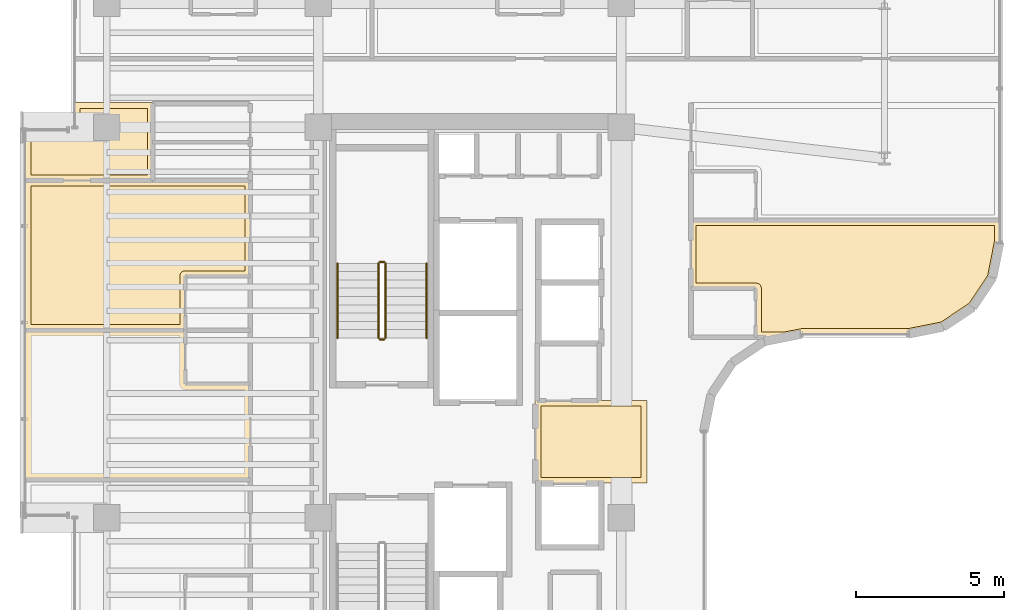
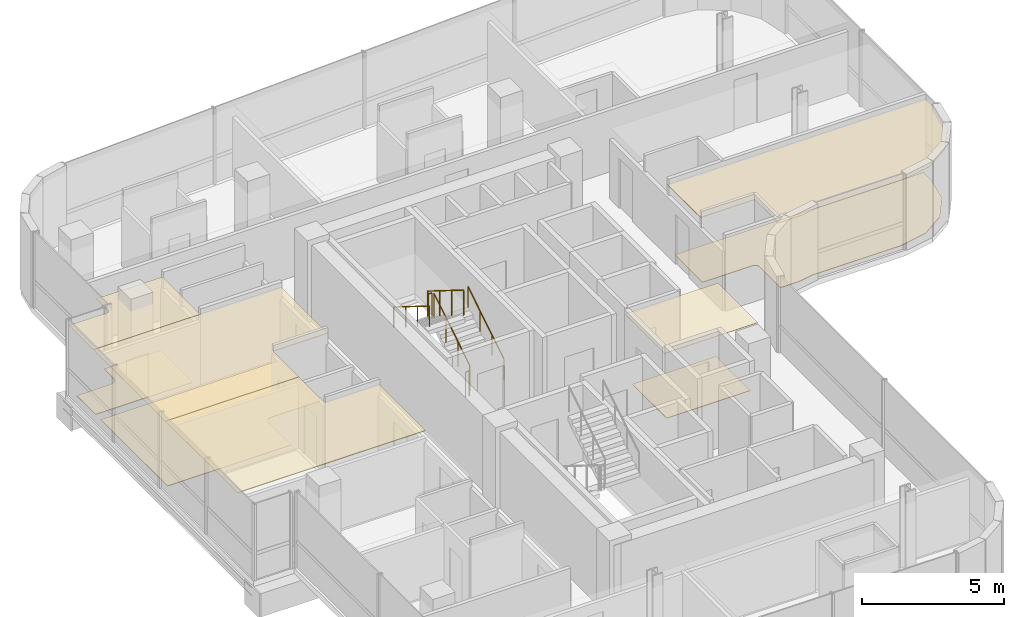
# One storey, part 21 of 22: 9 coverings, 6 railings.
"""IFC4 building model written with IfcOpenShell, lengths in metres."""

from ifc_helpers import new_model, si_unit, direction, frame, origin, origin_2d, place, context, subcontext, project, spatial, polyline, circle, outline, extrude, material, layer, layer_set, type_object, element, save


model = new_model("IFC4")

# Units and contexts
model_context = context("Model", 3, precision=1e-05, world=origin(), true_north=direction((0.0, 1.0)))
body_context = subcontext(model_context, "Body", "Model", "MODEL_VIEW")
ifc_project = project(units=[si_unit("LENGTHUNIT", "METRE"), si_unit("AREAUNIT", "SQUARE_METRE"), si_unit("VOLUMEUNIT", "CUBIC_METRE"), si_unit("PLANEANGLEUNIT", "RADIAN"), si_unit("MASSUNIT", "GRAM", prefix="KILO")], contexts=[model_context])

# Site, building, storey
site_placement = place(None, origin())
site = spatial("IfcSite", under=ifc_project, at=site_placement, CompositionType="ELEMENT")
building_placement = place(site_placement, origin())
building = spatial("IfcBuilding", under=site, at=building_placement, Name="Valdorenza Pilgrim Sanctuary Tower", CompositionType="ELEMENT")
storey_placement = place(building_placement, frame((0.0, 0.0, 216.0)))
storey = spatial("IfcBuildingStorey", under=building, at=storey_placement, Name="L55", CompositionType="ELEMENT", Elevation=216.0)

# Coverings
ifc_material_1 = material(Name="Micro-perforated acoustic mineral ceiling tile", Category="gypsum")
ifc_layer_1 = layer(ifc_material_1, 0.02490234375, Name="Micro-perforated acoustic mineral ceiling tile")
ifc_layer_set_1 = layer_set([ifc_layer_1], Name="Micro-perforated acoustic mineral ceiling tile")
covering_type_1 = type_object("IfcCoveringType", Name="COV-CLG-ACU", PredefinedType="CEILING", material=ifc_layer_set_1)
covering_1_placement = place(storey_placement, frame((0.0, 0.0, 2.9599609375)))
element("IfcCovering", 1, at=covering_1_placement, inside=storey, type_object=covering_type_1, Name="L55 Core A Passenger Lift Lobby Acoustic Ceiling", PredefinedType="CEILING", context=body_context, shape_type="SweptSolid", body=[
    extrude(outline(polyline([(-15.31494140625, 1.35009765625), (-15.31494140625, 1.3515625), (-15.314697265625, 1.352783203125), (-15.314453125, 1.3544921875), (-15.31396484375, 1.355712890625), (-15.313232421875, 1.357177734375), (-15.3125, 1.3583984375), (-15.3115234375, 1.359619140625), (-15.310546875, 1.360595703125), (-15.3095703125, 1.361572265625), (-15.308349609375, 1.362548828125), (-15.30712890625, 1.36328125), (-15.3056640625, 1.364013671875), (-15.304443359375, 1.364501953125), (-15.302978515625, 1.36474609375), (-15.301513671875, 1.364990234375), (-15.300048828125, 1.364990234375), (-11.550048828125, 1.364990234375), (-11.548583984375, 1.364990234375), (-11.547119140625, 1.36474609375), (-11.545654296875, 1.364501953125), (-11.544189453125, 1.364013671875), (-11.54296875, 1.36328125), (-11.541748046875, 1.362548828125), (-11.54052734375, 1.361572265625), (-11.539306640625, 1.360595703125), (-11.538330078125, 1.359619140625), (-11.53759765625, 1.3583984375), (-11.536865234375, 1.357177734375), (-11.5361328125, 1.355712890625), (-11.53564453125, 1.3544921875), (-11.535400390625, 1.352783203125), (-11.53515625, 1.3515625), (-11.534912109375, 1.35009765625), (-11.534912109375, -1.419921875), (-11.53515625, -1.42138671875), (-11.535400390625, -1.4228515625), (-11.53564453125, -1.42431640625), (-11.5361328125, -1.42578125), (-11.536865234375, -1.427001953125), (-11.53759765625, -1.42822265625), (-11.538330078125, -1.429443359375), (-11.539306640625, -1.4306640625), (-11.54052734375, -1.431640625), (-11.541748046875, -1.4326171875), (-11.54296875, -1.43310546875), (-11.544189453125, -1.433837890625), (-11.545654296875, -1.434326171875), (-11.547119140625, -1.434814453125), (-11.548583984375, -1.434814453125), (-11.550048828125, -1.43505859375), (-15.298095703125, -1.43505859375), (-15.299560546875, -1.434814453125), (-15.30078125, -1.434814453125), (-15.302490234375, -1.434326171875), (-15.3037109375, -1.433837890625), (-15.30517578125, -1.43310546875), (-15.306396484375, -1.4326171875), (-15.3076171875, -1.431640625), (-15.30859375, -1.4306640625), (-15.3095703125, -1.429443359375), (-15.310546875, -1.42822265625), (-15.311279296875, -1.427001953125), (-15.31201171875, -1.42578125), (-15.3125, -1.42431640625), (-15.312744140625, -1.4228515625), (-15.31298828125, -1.42138671875), (-15.31298828125, -1.419921875), (-15.31298828125, 1.244384765625), (-15.31298828125, 1.24462890625), (-15.313720703125, 1.24609375), (-15.314208984375, 1.24755859375), (-15.314697265625, 1.2490234375), (-15.31494140625, 1.25048828125), (-15.31494140625, 1.251953125), (-15.31494140625, 1.35009765625)])), origin(), (0.0, 0.0, 1.0), 0.025146484375),
])
covering_2_placement = place(storey_placement, frame((0.0, 0.0, 2.9599609375)))
element("IfcCovering", 2, at=covering_2_placement, inside=storey, type_object=covering_type_1, Name="L55 Pilgrim Scholar Office L55-WN Acoustic Ceiling", PredefinedType="CEILING", context=body_context, shape_type="SweptSolid", body=[
    extrude(outline(polyline([(-28.237060546875, 11.39453125), (-28.237060546875, 10.103759765625), (-28.23681640625, 10.10302734375), (-28.23681640625, 10.1015625), (-28.23681640625, 10.10009765625), (-28.23681640625, 10.098388671875), (-28.237060546875, 10.09814453125), (-28.237060546875, 8.800048828125), (-28.237060546875, 8.798583984375), (-28.2373046875, 8.797119140625), (-28.237548828125, 8.795654296875), (-28.238037109375, 8.794189453125), (-28.23876953125, 8.79296875), (-28.239501953125, 8.791748046875), (-28.240478515625, 8.79052734375), (-28.241455078125, 8.789306640625), (-28.242431640625, 8.788330078125), (-28.24365234375, 8.78759765625), (-28.244873046875, 8.786865234375), (-28.246337890625, 8.7861328125), (-28.24755859375, 8.78564453125), (-28.2490234375, 8.785400390625), (-28.25048828125, 8.78515625), (-28.251953125, 8.784912109375), (-32.5400390625, 8.784912109375), (-32.54150390625, 8.78515625), (-32.54296875, 8.785400390625), (-32.54443359375, 8.78564453125), (-32.545654296875, 8.7861328125), (-32.547119140625, 8.786865234375), (-32.54833984375, 8.78759765625), (-32.549560546875, 8.788330078125), (-32.550537109375, 8.789306640625), (-32.551513671875, 8.79052734375), (-32.552490234375, 8.791748046875), (-32.55322265625, 8.79296875), (-32.553955078125, 8.794189453125), (-32.554443359375, 8.795654296875), (-32.5546875, 8.797119140625), (-32.554931640625, 8.798583984375), (-32.554931640625, 8.800048828125), (-32.554931640625, 10.489990234375), (-32.554931640625, 10.491455078125), (-32.5546875, 10.492919921875), (-32.554443359375, 10.494384765625), (-32.553955078125, 10.49560546875), (-32.55322265625, 10.4970703125), (-32.552490234375, 10.498291015625), (-32.551513671875, 10.49951171875), (-32.550537109375, 10.50048828125), (-32.549560546875, 10.501708984375), (-32.54833984375, 10.50244140625), (-32.547119140625, 10.503173828125), (-32.545654296875, 10.50390625), (-32.54443359375, 10.50439453125), (-32.54296875, 10.504638671875), (-32.54150390625, 10.5048828125), (-32.5400390625, 10.5048828125), (-31.00048828125, 10.5048828125), (-30.99072265625, 10.505615234375), (-30.9814453125, 10.5068359375), (-30.972412109375, 10.509033203125), (-30.963623046875, 10.51220703125), (-30.955078125, 10.51611328125), (-30.947265625, 10.52099609375), (-30.939697265625, 10.526611328125), (-30.932861328125, 10.53271484375), (-30.926513671875, 10.539794921875), (-30.9208984375, 10.547119140625), (-30.916259765625, 10.55517578125), (-30.912109375, 10.563720703125), (-30.9091796875, 10.572509765625), (-30.90673828125, 10.58154296875), (-30.905517578125, 10.5908203125), (-30.905029296875, 10.600341796875), (-30.905029296875, 11.419921875), (-30.90478515625, 11.42138671875), (-30.90478515625, 11.4228515625), (-30.904296875, 11.42431640625), (-30.90380859375, 11.42578125), (-30.9033203125, 11.427001953125), (-30.902587890625, 11.42822265625), (-30.901611328125, 11.429443359375), (-30.900634765625, 11.4306640625), (-30.8994140625, 11.431640625), (-30.898193359375, 11.4326171875), (-30.897216796875, 11.43310546875), (-30.895751953125, 11.433837890625), (-30.894287109375, 11.434326171875), (-30.892822265625, 11.434814453125), (-30.8916015625, 11.434814453125), (-30.889892578125, 11.43505859375), (-28.25, 11.43505859375), (-28.24853515625, 11.434814453125), (-28.2470703125, 11.434814453125), (-28.24560546875, 11.434326171875), (-28.244384765625, 11.433837890625), (-28.242919921875, 11.43310546875), (-28.24169921875, 11.4326171875), (-28.240478515625, 11.431640625), (-28.239501953125, 11.4306640625), (-28.23828125, 11.429443359375), (-28.237548828125, 11.42822265625), (-28.23681640625, 11.427001953125), (-28.236083984375, 11.42578125), (-28.235595703125, 11.42431640625), (-28.2353515625, 11.4228515625), (-28.235107421875, 11.42138671875), (-28.235107421875, 11.419921875), (-28.235107421875, 11.402099609375), (-28.235107421875, 11.400390625), (-28.2353515625, 11.39892578125), (-28.235595703125, 11.3974609375), (-28.236083984375, 11.39599609375), (-28.23681640625, 11.394775390625), (-28.237060546875, 11.39453125)])), origin(), (0.0, 0.0, 1.0), 0.025146484375),
])
covering_3_placement = place(storey_placement, frame((0.0, 0.0, 2.9599609375)))
element("IfcCovering", 3, at=covering_3_placement, inside=storey, type_object=covering_type_1, Name="L55 Pilgrim Guest Room L55-W3 Acoustic Ceiling", PredefinedType="CEILING", context=body_context, shape_type="SweptSolid", body=[
    extrude(outline(polyline([(-32.554931640625, 3.7451171875), (-32.554931640625, 3.74658203125), (-32.5546875, 3.747802734375), (-32.554443359375, 3.74951171875), (-32.553955078125, 3.750732421875), (-32.55322265625, 3.752197265625), (-32.552490234375, 3.75341796875), (-32.551513671875, 3.75439453125), (-32.550537109375, 3.755615234375), (-32.549560546875, 3.756591796875), (-32.54833984375, 3.757568359375), (-32.547119140625, 3.75830078125), (-32.545654296875, 3.7587890625), (-32.54443359375, 3.759521484375), (-32.54296875, 3.759765625), (-32.54150390625, 3.760009765625), (-32.5400390625, 3.760009765625), (-27.152099609375, 3.760009765625), (-27.150390625, 3.760009765625), (-27.149169921875, 3.759765625), (-27.147705078125, 3.759521484375), (-27.146240234375, 3.7587890625), (-27.14501953125, 3.75830078125), (-27.143798828125, 3.757568359375), (-27.142578125, 3.756591796875), (-27.141357421875, 3.755615234375), (-27.140380859375, 3.75439453125), (-27.139404296875, 3.75341796875), (-27.138916015625, 3.752197265625), (-27.13818359375, 3.750732421875), (-27.1376953125, 3.74951171875), (-27.13720703125, 3.747802734375), (-27.13720703125, 3.74658203125), (-27.136962890625, 3.7451171875), (-27.136962890625, 1.93798828125), (-24.949951171875, 1.93798828125), (-24.948486328125, 1.93798828125), (-24.947021484375, 1.937744140625), (-24.945556640625, 1.9375), (-24.9443359375, 1.93701171875), (-24.94287109375, 1.936279296875), (-24.941650390625, 1.935546875), (-24.9404296875, 1.9345703125), (-24.939453125, 1.93359375), (-24.9384765625, 1.9326171875), (-24.9375, 1.931396484375), (-24.936767578125, 1.93017578125), (-24.93603515625, 1.9287109375), (-24.935546875, 1.927490234375), (-24.935302734375, 1.92578125), (-24.93505859375, 1.924560546875), (-24.93505859375, 1.923095703125), (-24.93505859375, -1.30810546875), (-24.93505859375, -1.3095703125), (-24.935302734375, -1.310791015625), (-24.935546875, -1.3125), (-24.93603515625, -1.313720703125), (-24.936767578125, -1.315185546875), (-24.9375, -1.31640625), (-24.9384765625, -1.3173828125), (-24.939453125, -1.318603515625), (-24.9404296875, -1.319580078125), (-24.941650390625, -1.320556640625), (-24.94287109375, -1.3212890625), (-24.9443359375, -1.322021484375), (-24.945556640625, -1.322509765625), (-24.947021484375, -1.32275390625), (-24.948486328125, -1.322998046875), (-24.949951171875, -1.322998046875), (-32.5400390625, -1.322998046875), (-32.54150390625, -1.322998046875), (-32.54296875, -1.32275390625), (-32.54443359375, -1.322509765625), (-32.545654296875, -1.322021484375), (-32.547119140625, -1.3212890625), (-32.54833984375, -1.320556640625), (-32.549560546875, -1.319580078125), (-32.550537109375, -1.318603515625), (-32.551513671875, -1.3173828125), (-32.552490234375, -1.31640625), (-32.55322265625, -1.315185546875), (-32.553955078125, -1.313720703125), (-32.554443359375, -1.3125), (-32.5546875, -1.310791015625), (-32.554931640625, -1.3095703125), (-32.554931640625, -1.30810546875), (-32.554931640625, 3.7451171875)])), origin(), (0.0, 0.0, 1.0), 0.025146484375),
])
covering_4_placement = place(storey_placement, frame((0.0, 0.0, 2.9599609375)))
element("IfcCovering", 4, at=covering_4_placement, inside=storey, type_object=covering_type_1, Name="L55 Pilgrim Guest Room L55-W4 Acoustic Ceiling", PredefinedType="CEILING", context=body_context, shape_type="SweptSolid", body=[
    extrude(outline(polyline([(-28.253662109375, 8.81298828125), (-28.253173828125, 8.81298828125), (-28.25146484375, 8.813232421875), (-28.25, 8.813232421875), (-28.24853515625, 8.81298828125), (-28.248291015625, 8.81298828125), (-24.949951171875, 8.81298828125), (-24.948486328125, 8.81298828125), (-24.947021484375, 8.812744140625), (-24.945556640625, 8.8125), (-24.9443359375, 8.81201171875), (-24.94287109375, 8.811279296875), (-24.941650390625, 8.810546875), (-24.9404296875, 8.8095703125), (-24.939453125, 8.80859375), (-24.9384765625, 8.8076171875), (-24.9375, 8.806396484375), (-24.936767578125, 8.80517578125), (-24.93603515625, 8.8037109375), (-24.935546875, 8.802490234375), (-24.935302734375, 8.80078125), (-24.93505859375, 8.799560546875), (-24.93505859375, 8.798095703125), (-24.93505859375, 5.56689453125), (-24.93505859375, 5.5654296875), (-24.935302734375, 5.564208984375), (-24.935546875, 5.5625), (-24.93603515625, 5.561279296875), (-24.936767578125, 5.559814453125), (-24.9375, 5.55859375), (-24.9384765625, 5.5576171875), (-24.939453125, 5.556396484375), (-24.9404296875, 5.555419921875), (-24.941650390625, 5.554443359375), (-24.94287109375, 5.5537109375), (-24.9443359375, 5.552978515625), (-24.945556640625, 5.552490234375), (-24.947021484375, 5.55224609375), (-24.948486328125, 5.552001953125), (-24.949951171875, 5.552001953125), (-27.136962890625, 5.552001953125), (-27.136962890625, 3.7470703125), (-27.13720703125, 3.74560546875), (-27.13720703125, 3.744140625), (-27.1376953125, 3.74267578125), (-27.13818359375, 3.7412109375), (-27.138916015625, 3.739990234375), (-27.139404296875, 3.73876953125), (-27.140380859375, 3.737548828125), (-27.141357421875, 3.736328125), (-27.142578125, 3.7353515625), (-27.143798828125, 3.734619140625), (-27.14501953125, 3.73388671875), (-27.146240234375, 3.733154296875), (-27.147705078125, 3.732666015625), (-27.149169921875, 3.732421875), (-27.150390625, 3.732177734375), (-27.152099609375, 3.73193359375), (-32.5400390625, 3.73193359375), (-32.54150390625, 3.732177734375), (-32.54296875, 3.732421875), (-32.54443359375, 3.732666015625), (-32.545654296875, 3.733154296875), (-32.547119140625, 3.73388671875), (-32.54833984375, 3.734619140625), (-32.549560546875, 3.7353515625), (-32.550537109375, 3.736328125), (-32.551513671875, 3.737548828125), (-32.552490234375, 3.73876953125), (-32.55322265625, 3.739990234375), (-32.553955078125, 3.7412109375), (-32.554443359375, 3.74267578125), (-32.5546875, 3.744140625), (-32.554931640625, 3.74560546875), (-32.554931640625, 3.7470703125), (-32.554931640625, 8.798095703125), (-32.554931640625, 8.799560546875), (-32.5546875, 8.80078125), (-32.554443359375, 8.802490234375), (-32.553955078125, 8.8037109375), (-32.55322265625, 8.80517578125), (-32.552490234375, 8.806396484375), (-32.551513671875, 8.8076171875), (-32.550537109375, 8.80859375), (-32.549560546875, 8.8095703125), (-32.54833984375, 8.810546875), (-32.547119140625, 8.811279296875), (-32.545654296875, 8.81201171875), (-32.54443359375, 8.8125), (-32.54296875, 8.812744140625), (-32.54150390625, 8.81298828125), (-32.5400390625, 8.81298828125), (-28.253662109375, 8.81298828125)])), origin(), (0.0, 0.0, 1.0), 0.025146484375),
])
covering_5_placement = place(storey_placement, frame((0.0, 0.0, 2.9599609375)))
element("IfcCovering", 5, at=covering_5_placement, inside=storey, type_object=covering_type_1, Name="L55 East Sanctuary Guest Room L55-E1 Acoustic Ceiling", PredefinedType="CEILING", context=body_context, shape_type="SweptSolid", body=[
    extrude(outline(polyline([(-7.863037109375, 5.136962890625), (-10.050048828125, 5.136962890625), (-10.051513671875, 5.13720703125), (-10.052978515625, 5.13720703125), (-10.054443359375, 5.1376953125), (-10.0556640625, 5.13818359375), (-10.05712890625, 5.138916015625), (-10.058349609375, 5.139404296875), (-10.0595703125, 5.140380859375), (-10.060546875, 5.141357421875), (-10.0615234375, 5.142578125), (-10.0625, 5.143798828125), (-10.063232421875, 5.14501953125), (-10.06396484375, 5.146240234375), (-10.064453125, 5.147705078125), (-10.064697265625, 5.149169921875), (-10.06494140625, 5.150390625), (-10.06494140625, 5.152099609375), (-10.06494140625, 7.4599609375), (-10.06494140625, 7.46142578125), (-10.064697265625, 7.462890625), (-10.064453125, 7.46435546875), (-10.06396484375, 7.4658203125), (-10.063232421875, 7.467041015625), (-10.0625, 7.46826171875), (-10.0615234375, 7.469482421875), (-10.060546875, 7.470703125), (-10.0595703125, 7.4716796875), (-10.058349609375, 7.472412109375), (-10.05712890625, 7.47314453125), (-10.0556640625, 7.473876953125), (-10.054443359375, 7.474365234375), (-10.052978515625, 7.474609375), (-10.051513671875, 7.474853515625), (-10.050048828125, 7.47509765625), (0.389892578125, 7.47509765625), (0.3916015625, 7.474853515625), (0.392822265625, 7.474609375), (0.394287109375, 7.474365234375), (0.395751953125, 7.473876953125), (0.397216796875, 7.47314453125), (0.398193359375, 7.472412109375), (0.3994140625, 7.4716796875), (0.400634765625, 7.470703125), (0.401611328125, 7.469482421875), (0.402587890625, 7.46826171875), (0.4033203125, 7.467041015625), (0.40380859375, 7.4658203125), (0.404296875, 7.46435546875), (0.40478515625, 7.462890625), (0.40478515625, 7.46142578125), (0.405029296875, 7.4599609375), (0.405029296875, 6.710693359375), (0.40478515625, 6.70947265625), (0.40478515625, 6.7080078125), (0.16748046875, 5.515380859375), (0.1669921875, 5.513916015625), (0.16650390625, 5.5126953125), (0.166015625, 5.51123046875), (0.165283203125, 5.510009765625), (-0.504150390625, 4.50830078125), (-0.5048828125, 4.507080078125), (-0.506103515625, 4.506103515625), (-0.507080078125, 4.5048828125), (-0.50830078125, 4.504150390625), (-1.510009765625, 3.834716796875), (-1.51123046875, 3.833984375), (-1.5126953125, 3.83349609375), (-1.513916015625, 3.8330078125), (-1.515380859375, 3.83251953125), (-2.7080078125, 3.59521484375), (-2.70947265625, 3.59521484375), (-2.710693359375, 3.594970703125), (-6.299560546875, 3.594970703125), (-6.309326171875, 3.594482421875), (-6.31884765625, 3.593017578125), (-6.86083984375, 3.4853515625), (-6.8623046875, 3.485107421875), (-6.86376953125, 3.485107421875), (-7.847900390625, 3.485107421875), (-7.849609375, 3.485107421875), (-7.850830078125, 3.4853515625), (-7.852294921875, 3.485595703125), (-7.853759765625, 3.486083984375), (-7.85498046875, 3.48681640625), (-7.856201171875, 3.487548828125), (-7.857421875, 3.48828125), (-7.858642578125, 3.489501953125), (-7.859619140625, 3.490478515625), (-7.860595703125, 3.49169921875), (-7.861083984375, 3.492919921875), (-7.86181640625, 3.494384765625), (-7.8623046875, 3.49560546875), (-7.86279296875, 3.4970703125), (-7.86279296875, 3.49853515625), (-7.863037109375, 3.5), (-7.863037109375, 5.136962890625)])), origin(), (0.0, 0.0, 1.0), 0.025146484375),
])
ifc_material_2 = material(Name="Engineered European oak timber flooring", Category="wood")
ifc_layer_2 = layer(ifc_material_2, 0.02197265625, Name="Engineered European oak timber flooring")
ifc_layer_set_2 = layer_set([ifc_layer_2], Name="Engineered European oak timber flooring")
covering_type_2 = type_object("IfcCoveringType", Name="COV-FLR-OAK", PredefinedType="FLOORING", material=ifc_layer_set_2)
covering_6_placement = place(storey_placement, origin())
element("IfcCovering", 6, at=covering_6_placement, inside=storey, type_object=covering_type_2, Name="L55 Pilgrim Guest Room L55-W4 Flooring", PredefinedType="FLOORING", context=body_context, shape_type="SweptSolid", body=[
    extrude(outline(polyline([(-28.250244140625, 8.617919921875), (-28.25, 8.617919921875), (-25.1298828125, 8.617919921875), (-25.1298828125, 5.7470703125), (-27.14990234375, 5.7470703125), (-27.15869140625, 5.746826171875), (-27.158935546875, 5.746826171875), (-27.176513671875, 5.7451171875), (-27.1767578125, 5.7451171875), (-27.194091796875, 5.74169921875), (-27.1943359375, 5.741455078125), (-27.211181640625, 5.736328125), (-27.21142578125, 5.736328125), (-27.227783203125, 5.7294921875), (-27.227783203125, 5.7294921875), (-27.243408203125, 5.72119140625), (-27.24365234375, 5.72119140625), (-27.25830078125, 5.711181640625), (-27.258544921875, 5.711181640625), (-27.272216796875, 5.699951171875), (-27.272216796875, 5.69970703125), (-27.284912109375, 5.687255859375), (-27.284912109375, 5.68701171875), (-27.296142578125, 5.673583984375), (-27.296142578125, 5.67333984375), (-27.30615234375, 5.65869140625), (-27.30615234375, 5.658447265625), (-27.314453125, 5.642822265625), (-27.314697265625, 5.642578125), (-27.3212890625, 5.62646484375), (-27.3212890625, 5.626220703125), (-27.326416015625, 5.609375), (-27.32666015625, 5.609130859375), (-27.330078125, 5.591796875), (-27.330078125, 5.591552734375), (-27.331787109375, 5.573974609375), (-27.331787109375, 5.57373046875), (-27.33203125, 5.56494140625), (-27.33203125, 3.927001953125), (-32.360107421875, 3.927001953125), (-32.360107421875, 8.617919921875), (-28.251953125, 8.617919921875), (-28.2509765625, 8.617919921875), (-28.250244140625, 8.617919921875)])), origin(), (0.0, 0.0, 1.0), 0.02490234375),
])
covering_7_placement = place(storey_placement, origin())
element("IfcCovering", 7, at=covering_7_placement, inside=storey, type_object=covering_type_2, Name="L55 East Sanctuary Guest Room L55-E1 Flooring", PredefinedType="FLOORING", context=body_context, shape_type="SweptSolid", body=[
    extrude(outline(polyline([(0.2099609375, 6.728515625), (-0.016845703125, 5.588623046875), (-0.646484375, 4.646484375), (-1.588623046875, 4.016845703125), (-2.728515625, 3.7900390625), (-6.300048828125, 3.7900390625), (-6.308837890625, 3.789794921875), (-6.319580078125, 3.789306640625), (-6.337158203125, 3.78759765625), (-6.347900390625, 3.785888671875), (-6.356689453125, 3.784423828125), (-6.881591796875, 3.679931640625), (-7.66796875, 3.679931640625), (-7.66796875, 5.14990234375), (-7.668212890625, 5.15869140625), (-7.668212890625, 5.158935546875), (-7.669921875, 5.176513671875), (-7.669921875, 5.1767578125), (-7.67333984375, 5.194091796875), (-7.673583984375, 5.1943359375), (-7.6787109375, 5.211181640625), (-7.6787109375, 5.21142578125), (-7.685302734375, 5.227783203125), (-7.685546875, 5.227783203125), (-7.69384765625, 5.243408203125), (-7.69384765625, 5.24365234375), (-7.703857421875, 5.25830078125), (-7.703857421875, 5.258544921875), (-7.715087890625, 5.272216796875), (-7.715087890625, 5.272216796875), (-7.727783203125, 5.284912109375), (-7.727783203125, 5.284912109375), (-7.741455078125, 5.296142578125), (-7.74169921875, 5.296142578125), (-7.75634765625, 5.30615234375), (-7.756591796875, 5.30615234375), (-7.772216796875, 5.314453125), (-7.772216796875, 5.314697265625), (-7.78857421875, 5.3212890625), (-7.788818359375, 5.3212890625), (-7.8056640625, 5.326416015625), (-7.805908203125, 5.32666015625), (-7.8232421875, 5.330078125), (-7.823486328125, 5.330078125), (-7.841064453125, 5.331787109375), (-7.84130859375, 5.331787109375), (-7.85009765625, 5.33203125), (-9.8701171875, 5.33203125), (-9.8701171875, 7.280029296875), (0.2099609375, 7.280029296875), (0.2099609375, 6.728515625)])), origin(), (0.0, 0.0, 1.0), 0.02490234375),
])
ifc_material_3 = material(Name="Honed travertine stone flooring", Category="masonry")
ifc_layer_3 = layer(ifc_material_3, 0.030029296875, Name="Honed travertine stone flooring")
ifc_layer_set_3 = layer_set([ifc_layer_3], Name="Honed travertine stone flooring")
covering_type_3 = type_object("IfcCoveringType", Name="COV-FLR-TRV", PredefinedType="FLOORING", material=ifc_layer_set_3)
covering_8_placement = place(storey_placement, origin())
element("IfcCovering", 8, at=covering_8_placement, inside=storey, type_object=covering_type_3, Name="L55 Core A Passenger Lift Lobby Flooring", PredefinedType="FLOORING", context=body_context, shape_type="SweptSolid", body=[
    extrude(outline(polyline([(-15.117919921875, 1.169921875), (-11.72998046875, 1.169921875), (-11.72998046875, -1.239990234375), (-15.117919921875, -1.239990234375), (-15.117919921875, 1.169921875)])), origin(), (0.0, 0.0, 1.0), 0.02490234375),
])
covering_9_placement = place(storey_placement, origin())
element("IfcCovering", 9, at=covering_9_placement, inside=storey, type_object=covering_type_3, Name="L55 Pilgrim Scholar Office L55-WN Flooring", PredefinedType="FLOORING", context=body_context, shape_type="SweptSolid", body=[
    extrude(outline(polyline([(-28.431884765625, 11.239990234375), (-28.431884765625, 10.10205078125), (-28.431884765625, 10.10107421875), (-28.431884765625, 10.100341796875), (-28.431884765625, 10.10009765625), (-28.431884765625, 8.97998046875), (-32.360107421875, 8.97998046875), (-32.360107421875, 10.31005859375), (-31.0, 10.31005859375), (-30.9912109375, 10.310302734375), (-30.98046875, 10.310791015625), (-30.962890625, 10.3125), (-30.9521484375, 10.314208984375), (-30.934814453125, 10.3173828125), (-30.92431640625, 10.320068359375), (-30.907470703125, 10.3251953125), (-30.897216796875, 10.328857421875), (-30.880859375, 10.335693359375), (-30.87109375, 10.34033203125), (-30.855712890625, 10.3486328125), (-30.84619140625, 10.35400390625), (-30.831787109375, 10.364013671875), (-30.822998046875, 10.370361328125), (-30.809326171875, 10.381591796875), (-30.80126953125, 10.388916015625), (-30.788818359375, 10.4013671875), (-30.781494140625, 10.4091796875), (-30.7705078125, 10.423095703125), (-30.763916015625, 10.431640625), (-30.754150390625, 10.4462890625), (-30.74853515625, 10.45556640625), (-30.740234375, 10.47119140625), (-30.735595703125, 10.48095703125), (-30.72900390625, 10.497314453125), (-30.725341796875, 10.50732421875), (-30.72021484375, 10.5244140625), (-30.717529296875, 10.534912109375), (-30.714111328125, 10.552001953125), (-30.71240234375, 10.562744140625), (-30.710693359375, 10.580322265625), (-30.710205078125, 10.59130859375), (-30.7099609375, 10.60009765625), (-30.7099609375, 11.239990234375), (-28.431884765625, 11.239990234375)])), origin(), (0.0, 0.0, 1.0), 0.02490234375),
])

# Railings
ifc_material_4 = material(Name="Stainless steel Grade 316", Category="steel")
railing_type_1 = type_object("IfcRailingType", Name="RLG-GRD-1120", PredefinedType="GUARDRAIL", material=ifc_material_4)
railing_1_placement = place(storey_placement, frame((-20.3701171875, 3.47998046875, 0.175048828125)))
element("IfcRailing", 10, at=railing_1_placement, inside=storey, type_object=railing_type_1, Name="L55 ST-A1 stair guard 1", PredefinedType="GUARDRAIL", context=body_context, shape_type="SweptSolid", body=[
    extrude(circle(Radius=0.02392578125, at=origin_2d()), frame((0.0, 0.0, 1.076171875), z_axis=(0.0, 0.848007534815, 0.529984170421), x_axis=(-1.0, 0.0, 0.0)), (0.0, 0.0, 1.0), 2.9716796875),
    extrude(circle(Radius=0.02099609375, at=origin_2d()), origin(), (0.0, 0.0, 1.0), 1.052001953125),
    extrude(circle(Radius=0.02099609375, at=origin_2d()), frame((0.0, 0.840087890625, 0.52490234375)), (0.0, 0.0, 1.0), 1.052001953125),
    extrude(circle(Radius=0.02099609375, at=origin_2d()), frame((0.0, 1.679931640625, 1.050048828125)), (0.0, 0.0, 1.0), 1.052001953125),
    extrude(circle(Radius=0.02099609375, at=origin_2d()), frame((0.0, 2.52001953125, 1.574951171875)), (0.0, 0.0, 1.0), 1.052001953125),
])
railing_2_placement = place(storey_placement, frame((-20.419921875, 6.050048828125, 1.75)))
element("IfcRailing", 11, at=railing_2_placement, inside=storey, type_object=railing_type_1, Name="L55 ST-A1 stair guard 2", PredefinedType="GUARDRAIL", context=body_context, shape_type="SweptSolid", body=[
    extrude(circle(Radius=0.02392578125, at=origin_2d()), frame((0.0, 0.0, 1.076171875), z_axis=(-1.0, 0.0, 0.0), x_axis=(0.0, -1.0, 0.0)), (0.0, 0.0, 1.0), 0.150146484375),
    extrude(circle(Radius=0.02099609375, at=origin_2d()), origin(), (0.0, 0.0, 1.0), 1.052001953125),
    extrude(circle(Radius=0.02099609375, at=origin_2d()), frame((-0.150146484375, 0.0, 0.0)), (0.0, 0.0, 1.0), 1.052001953125),
])
railing_3_placement = place(storey_placement, frame((-20.6201171875, 6.0, 1.925048828125)))
element("IfcRailing", 12, at=railing_3_placement, inside=storey, type_object=railing_type_1, Name="L55 ST-A1 stair guard 3", PredefinedType="GUARDRAIL", context=body_context, shape_type="SweptSolid", body=[
    extrude(circle(Radius=0.02392578125, at=origin_2d()), frame((0.0, 0.0, 1.076171875), z_axis=(0.0, -0.848007534815, 0.529984170421), x_axis=(1.0, 0.0, 0.0)), (0.0, 0.0, 1.0), 2.9716796875),
    extrude(circle(Radius=0.02099609375, at=origin_2d()), origin(), (0.0, 0.0, 1.0), 1.052001953125),
    extrude(circle(Radius=0.02099609375, at=origin_2d()), frame((0.0, -0.840087890625, 0.52490234375)), (0.0, 0.0, 1.0), 1.052001953125),
    extrude(circle(Radius=0.02099609375, at=origin_2d()), frame((0.0, -1.679931640625, 1.050048828125)), (0.0, 0.0, 1.0), 1.052001953125),
    extrude(circle(Radius=0.02099609375, at=origin_2d()), frame((0.0, -2.52001953125, 1.574951171875)), (0.0, 0.0, 1.0), 1.052001953125),
])
railing_4_placement = place(storey_placement, frame((-20.419921875, 3.429931640625, 0.0)))
element("IfcRailing", 13, at=railing_4_placement, inside=storey, type_object=railing_type_1, Name="L55 ST-A1 stair guard 4", PredefinedType="GUARDRAIL", context=body_context, shape_type="SweptSolid", body=[
    extrude(circle(Radius=0.02392578125, at=origin_2d()), frame((0.0, 0.0, 1.076171875), z_axis=(-1.0, 0.0, 0.0), x_axis=(0.0, -1.0, 0.0)), (0.0, 0.0, 1.0), 0.150146484375),
    extrude(circle(Radius=0.02099609375, at=origin_2d()), origin(), (0.0, 0.0, 1.0), 1.052001953125),
    extrude(circle(Radius=0.02099609375, at=origin_2d()), frame((-0.150146484375, 0.0, 0.0)), (0.0, 0.0, 1.0), 1.052001953125),
])
ifc_material_5 = material(Name="Brushed stainless steel Grade 316", Category="steel")
railing_type_2 = type_object("IfcRailingType", Name="RLG-HND-920", PredefinedType="HANDRAIL", material=ifc_material_5)
railing_5_placement = place(storey_placement, frame((-18.989990234375, 3.47998046875, 0.175048828125)))
element("IfcRailing", 14, at=railing_5_placement, inside=storey, type_object=railing_type_2, Name="L55 ST-A1 stair handrail 1", PredefinedType="HANDRAIL", context=body_context, shape_type="SweptSolid", body=[
    extrude(circle(Radius=0.02392578125, at=origin_2d()), frame((0.0, 0.0, 0.8759765625), z_axis=(0.0, 0.848007534815, 0.529984170421), x_axis=(-1.0, 0.0, 0.0)), (0.0, 0.0, 1.0), 2.9716796875),
    extrude(circle(Radius=0.02099609375, at=origin_2d()), origin(), (0.0, 0.0, 1.0), 0.851806640625),
    extrude(circle(Radius=0.02099609375, at=origin_2d()), frame((0.0, 0.840087890625, 0.52490234375)), (0.0, 0.0, 1.0), 0.851806640625),
    extrude(circle(Radius=0.02099609375, at=origin_2d()), frame((0.0, 1.679931640625, 1.050048828125)), (0.0, 0.0, 1.0), 0.851806640625),
    extrude(circle(Radius=0.02099609375, at=origin_2d()), frame((0.0, 2.52001953125, 1.574951171875)), (0.0, 0.0, 1.0), 0.851806640625),
])
railing_6_placement = place(storey_placement, frame((-22.0, 6.0, 1.925048828125)))
element("IfcRailing", 15, at=railing_6_placement, inside=storey, type_object=railing_type_2, Name="L55 ST-A1 stair handrail 2", PredefinedType="HANDRAIL", context=body_context, shape_type="SweptSolid", body=[
    extrude(circle(Radius=0.02392578125, at=origin_2d()), frame((0.0, 0.0, 0.8759765625), z_axis=(0.0, -0.848007534815, 0.529984170421), x_axis=(1.0, 0.0, 0.0)), (0.0, 0.0, 1.0), 2.9716796875),
    extrude(circle(Radius=0.02099609375, at=origin_2d()), origin(), (0.0, 0.0, 1.0), 0.851806640625),
    extrude(circle(Radius=0.02099609375, at=origin_2d()), frame((0.0, -0.840087890625, 0.52490234375)), (0.0, 0.0, 1.0), 0.851806640625),
    extrude(circle(Radius=0.02099609375, at=origin_2d()), frame((0.0, -1.679931640625, 1.050048828125)), (0.0, 0.0, 1.0), 0.851806640625),
    extrude(circle(Radius=0.02099609375, at=origin_2d()), frame((0.0, -2.52001953125, 1.574951171875)), (0.0, 0.0, 1.0), 0.851806640625),
])

save(model, "model.ifc")
